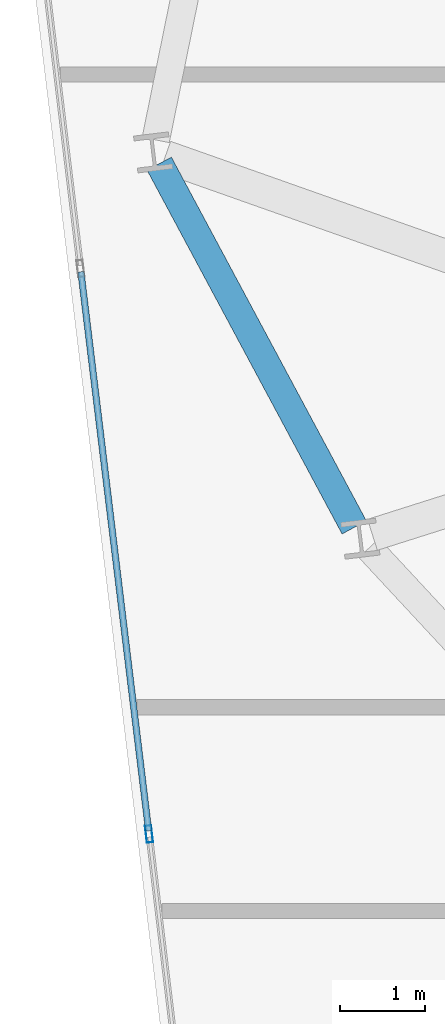
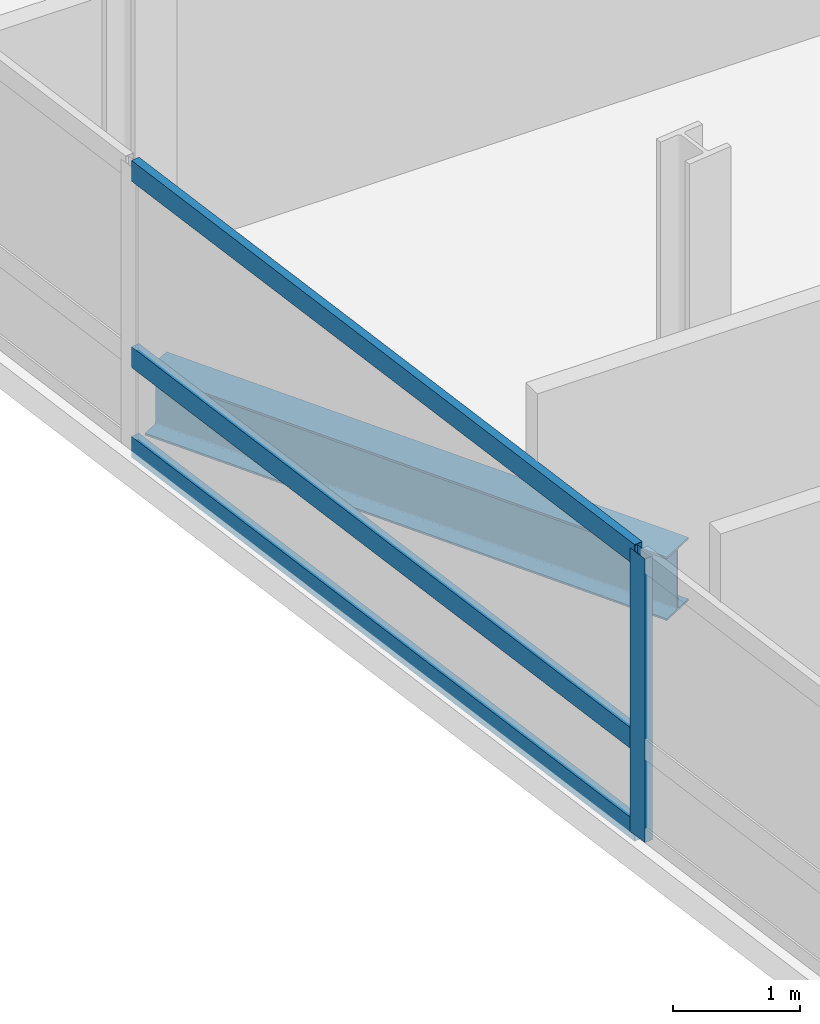
# One storey, part 4 of 23: 4 members, 1 beam, 1 element without a shape of its own.
"""IFC4 building model written with IfcOpenShell, lengths in metres."""

from ifc_helpers import new_model, si_unit, direction, frame, origin, origin_2d, place, context, subcontext, project, spatial, hollow_rectangle, i_section, extrude, material, layer, layer_set, material_profile, profile_set, type_object, element, aggregate, save


model = new_model("IFC4")

# Units and contexts
model_context = context("Model", 3, precision=1e-05, world=origin(), true_north=direction((0.0, 1.0)))
body_context = subcontext(model_context, "Body", "Model", "MODEL_VIEW")
ifc_project = project(units=[si_unit("LENGTHUNIT", "METRE"), si_unit("AREAUNIT", "SQUARE_METRE"), si_unit("VOLUMEUNIT", "CUBIC_METRE"), si_unit("PLANEANGLEUNIT", "RADIAN"), si_unit("MASSUNIT", "GRAM", prefix="KILO")], contexts=[model_context])

# Site, building, storey
site_placement = place(None, origin())
site = spatial("IfcSite", under=ifc_project, at=site_placement, CompositionType="ELEMENT")
building_placement = place(site_placement, origin())
building = spatial("IfcBuilding", under=site, at=building_placement, Name="Varnelok Gate Tower", CompositionType="ELEMENT")
storey_placement = place(building_placement, frame((0.0, 0.0, 193.10009765625)))
storey = spatial("IfcBuildingStorey", under=building, at=storey_placement, Name="L49", CompositionType="ELEMENT", Elevation=193.10009765625)

# Beam
ifc_material_1 = material(Name="Structural Steel ASTM A992 Grade 50", Category="steel")
ifc_material_profile_1 = material_profile(ifc_material_1, i_section(OverallWidth=0.323974609375, OverallDepth=0.611083984375, WebThickness=0.0126953125, FlangeThickness=0.01904296875, FilletRadius=0.01806640625, at=origin_2d()), Name="W24X104")
ifc_profile_set_1 = profile_set([ifc_material_profile_1], Name="Structural Steel ASTM A992 Grade 50")
beam_type = type_object("IfcBeamType", Name="BM-SPN-W24X104", PredefinedType="SPANDREL", material=ifc_profile_set_1)
beam_placement = place(storey_placement, frame((4.816650390625, 25.61474609375, -0.5556640625), z_axis=(0.472471917257, -0.881345725242, 0.0), x_axis=(0.881345725242, 0.472471917257, 0.0)))
element("IfcBeam", 1, at=beam_placement, inside=storey, type_object=beam_type, Name="L49 Perimeter Spandrel Beam 15", PredefinedType="SPANDREL", context=body_context, shape_type="SweptSolid", body=[
    extrude(i_section(OverallWidth=0.323974609375, OverallDepth=0.611083984375, WebThickness=0.0126953125, FlangeThickness=0.01904296875, FilletRadius=0.01806640625, at=origin_2d()), origin(), (0.0, 0.0, 1.0), 4.8408203125),
])

# Curtain wall, members
ifc_material_2 = material(Name="Anodized Aluminum Alloy 6063-T6", Category="aluminium")
ifc_layer = layer(ifc_material_2, 0.179931640625)
ifc_layer_set = layer_set([ifc_layer], Name="Anodized Aluminum Alloy 6063-T6")
curtain_wall_type = type_object("IfcCurtainWallType", Name="CW4-RESIDENCE-VISION", PredefinedType="USERDEFINED", material=ifc_layer_set)
curtain_wall_placement = place(storey_placement, origin())
curtain_wall = element("IfcCurtainWall", 2, at=curtain_wall_placement, inside=storey, type_object=curtain_wall_type, Name="L49 West End Vision Curtain Wall", ObjectType="UNITISED CURTAIN WALL", PredefinedType="USERDEFINED")
ifc_material_profile_2 = material_profile(ifc_material_2, hollow_rectangle(XDim=0.074951171875, YDim=0.199951171875, WallThickness=0.00390625, at=origin_2d()), Name="ALU200X75X4")
ifc_profile_set_2 = profile_set([ifc_material_profile_2], Name="Anodized Aluminum Alloy 6063-T6")
member_type_1 = type_object("IfcMemberType", Name="CW-MULL-200", PredefinedType="MULLION", material=ifc_profile_set_2)
member_1_placement = place(storey_placement, frame((4.697509765625, 17.7529296875, 0.0), z_axis=(0.0, 0.0, 1.0), x_axis=(-0.992732188751, -0.120344511371, 0.0)))
member_1 = element("IfcMember", 3, at=member_1_placement, type_object=member_type_1, Name="CW4 mullion 3", PredefinedType="MULLION", context=body_context, shape_type="SweptSolid", body=[
    extrude(hollow_rectangle(XDim=0.074951171875, YDim=0.199951171875, WallThickness=0.00390625, at=origin_2d()), origin(), (0.0, 0.0, 1.0), 2.72998046875),
])
ifc_material_profile_3 = material_profile(ifc_material_2, hollow_rectangle(XDim=0.074951171875, YDim=0.199951171875, WallThickness=0.00390625, at=origin_2d()), Name="ALU200X75X4")
ifc_profile_set_3 = profile_set([ifc_material_profile_3], Name="Anodized Aluminum Alloy 6063-T6")
member_type_2 = type_object("IfcMemberType", Name="CW-TRAN-200", PredefinedType="USERDEFINED", material=ifc_profile_set_3)
member_2_placement = place(storey_placement, frame((4.69287109375, 17.790283203125, 0.037353515625), z_axis=(-0.120317016873, 0.992735521401, 0.0), x_axis=(-0.992735521401, -0.120317016873, 0.0)))
member_2 = element("IfcMember", 4, at=member_2_placement, type_object=member_type_2, Name="CW4 transom 3.1", ObjectType="TRANSOM", PredefinedType="USERDEFINED", context=body_context, shape_type="SweptSolid", body=[
    extrude(hollow_rectangle(XDim=0.074951171875, YDim=0.199951171875, WallThickness=0.00390625, at=origin_2d()), origin(), (0.0, 0.0, 1.0), 6.60498046875),
])
member_3_placement = place(storey_placement, frame((4.69287109375, 17.790283203125, 0.89990234375), z_axis=(-0.120317016873, 0.992735521401, 0.0), x_axis=(-0.992735521401, -0.120317016873, 0.0)))
member_3 = element("IfcMember", 5, at=member_3_placement, type_object=member_type_2, Name="CW4 transom 3.2", ObjectType="TRANSOM", PredefinedType="USERDEFINED", context=body_context, shape_type="SweptSolid", body=[
    extrude(hollow_rectangle(XDim=0.074951171875, YDim=0.199951171875, WallThickness=0.00390625, at=origin_2d()), origin(), (0.0, 0.0, 1.0), 6.60498046875),
])
member_4_placement = place(storey_placement, frame((4.69287109375, 17.790283203125, 2.6923828125), z_axis=(-0.120317016873, 0.992735521401, 0.0), x_axis=(-0.992735521401, -0.120317016873, 0.0)))
member_4 = element("IfcMember", 6, at=member_4_placement, type_object=member_type_2, Name="CW4 transom 3.3", ObjectType="TRANSOM", PredefinedType="USERDEFINED", context=body_context, shape_type="SweptSolid", body=[
    extrude(hollow_rectangle(XDim=0.074951171875, YDim=0.199951171875, WallThickness=0.00390625, at=origin_2d()), origin(), (0.0, 0.0, 1.0), 6.60498046875),
])
aggregate(curtain_wall, [member_1, member_2, member_3, member_4])

save(model, "model.ifc")
